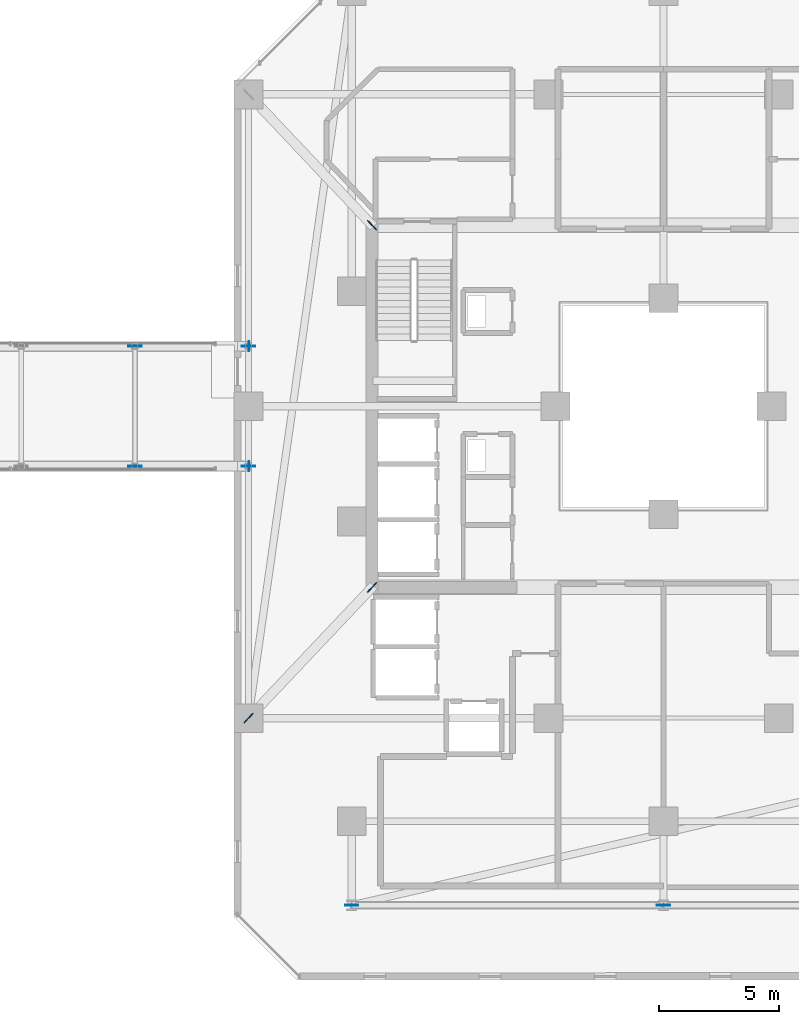
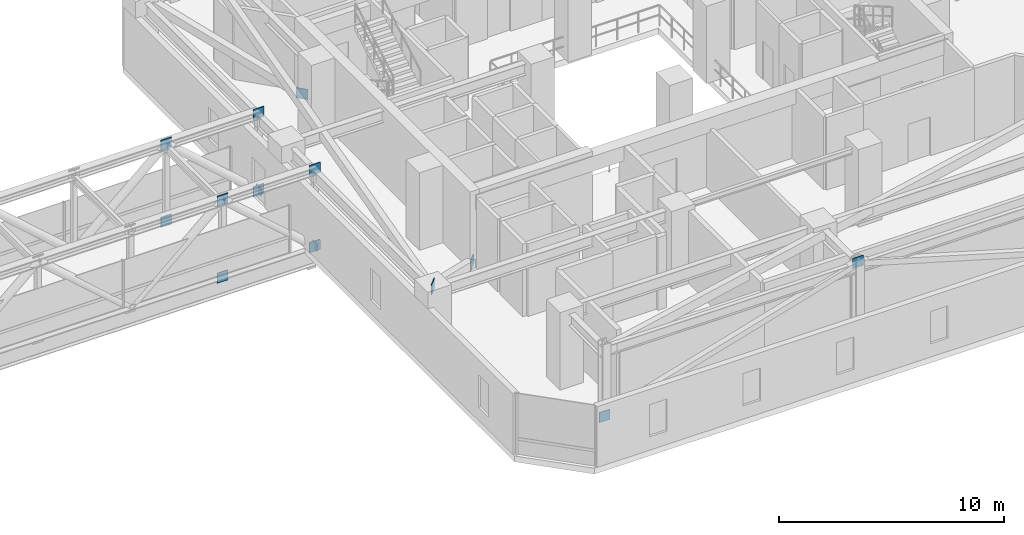
# One storey, part 32 of 45: 15 plates.
"""IFC4 building model written with IfcOpenShell, lengths in metres."""

import ifcopenshell
import ifcopenshell.guid

model = None  # the IFC model being written
_history = None  # IfcOwnerHistory: only IFC2X3 demands one
_inside = {}  # id of a spatial element -> (the spatial element, [elements in it])
_under = {}  # id of a project, library or spatial element -> (it, [spatial elements below it])
_declared = {}  # id of a project -> (the project, [libraries it declares])
_typed = {}  # id of a type object -> (the type object, [elements of that type])
_made_of = {}  # id of a material, layer set ... -> (it, [elements and type objects made of it])


def new_model(schema):
    """Start an empty IFC model of exactly this schema.

    Asked for "IFC4X3", IfcOpenShell would pick the latest addendum, in which some entities
    have other attributes; the version numbers below select the first issue.
    IFC2X3 requires an IfcOwnerHistory on every rooted entity: one is made here for all.
    """
    global model, _history
    if schema == "IFC4X3":
        model = ifcopenshell.file(schema_version=(4, 3, 0, 0))
    else:
        model = ifcopenshell.file(schema=schema)
    _inside.clear()
    _under.clear()
    _declared.clear()
    _typed.clear()
    _made_of.clear()
    _history = None
    if model.schema == "IFC2X3":
        org = make("IfcOrganization", Name="unknown")
        user = make(
            "IfcPersonAndOrganization",
            ThePerson=make("IfcPerson", FamilyName="unknown"),
            TheOrganization=org,
        )
        app = make(
            "IfcApplication",
            ApplicationDeveloper=org,
            Version="unknown",
            ApplicationFullName="unknown",
            ApplicationIdentifier="unknown",
        )
        _history = make(
            "IfcOwnerHistory",
            OwningUser=user,
            OwningApplication=app,
            ChangeAction="ADDED",
            CreationDate=0,
        )
    return model


def make(cls, **values):
    """One entity of the class cls with the attributes given. An attribute that is None is left unset."""
    return model.create_entity(
        cls, **{name: value for name, value in values.items() if value is not None}
    )


def rooted(cls, **values):
    """An entity with a GlobalId (a new one), such as an element, a storey or a relation."""
    return make(cls, GlobalId=ifcopenshell.guid.new(), OwnerHistory=_history, **values)


def si_unit(unit_type, name, prefix=None):
    """IfcSIUnit, for example si_unit("LENGTHUNIT", "METRE", prefix="MILLI")."""
    return make("IfcSIUnit", UnitType=unit_type, Prefix=prefix, Name=name)


def assignment(units):
    """IfcUnitAssignment: the units of a project."""
    return None if units is None else make("IfcUnitAssignment", Units=units)


def point(xyz):
    """IfcCartesianPoint."""
    return None if xyz is None else make("IfcCartesianPoint", Coordinates=xyz)


def direction(xyz):
    """IfcDirection."""
    return None if xyz is None else make("IfcDirection", DirectionRatios=xyz)


def frame(location, z_axis=None, x_axis=None):
    """IfcAxis2Placement3D, a coordinate frame: its origin and axes. An axis left out is left unset."""
    return make(
        "IfcAxis2Placement3D",
        Location=point(location),
        Axis=direction(z_axis),
        RefDirection=direction(x_axis),
    )


def frame_2d(location, x_axis=None):
    """IfcAxis2Placement2D, a coordinate frame in the plane: its origin and x axis."""
    return make(
        "IfcAxis2Placement2D", Location=point(location), RefDirection=direction(x_axis)
    )


def origin():
    """The frame at (0, 0, 0) with its axes left unset."""
    return frame((0.0, 0.0, 0.0))


def origin_2d():
    """The frame at (0, 0) in the plane with its x axis left unset."""
    return frame_2d((0.0, 0.0))


def place(relative_to, where):
    """IfcLocalPlacement: puts the frame where relative to a parent placement (None: the world)."""
    return make(
        "IfcLocalPlacement", PlacementRelTo=relative_to, RelativePlacement=where
    )


def context(
    kind, dimensions, precision=None, world=None, true_north=None, identifier=None
):
    """IfcGeometricRepresentationContext, for example the 3D "Model" context."""
    return make(
        "IfcGeometricRepresentationContext",
        ContextIdentifier=identifier,
        ContextType=kind,
        CoordinateSpaceDimension=dimensions,
        Precision=precision,
        WorldCoordinateSystem=world,
        TrueNorth=true_north,
    )


def subcontext(parent, identifier, kind, view, scale=None):
    """IfcGeometricRepresentationSubContext, for example "Body" below "Model"."""
    return make(
        "IfcGeometricRepresentationSubContext",
        ContextIdentifier=identifier,
        ContextType=kind,
        ParentContext=parent,
        TargetScale=scale,
        TargetView=view,
    )


def project(units=None, contexts=None):
    """IfcProject with its units and contexts."""
    return rooted(
        "IfcProject",
        Name="project",
        RepresentationContexts=contexts,
        UnitsInContext=assignment(units),
    )


def spatial(cls, under=None, at=None, **own):
    """A site, building, storey or space (cls), placed at a placement, below another one or the project."""
    s = rooted(cls, ObjectPlacement=at, **own)
    if under is not None:
        _under.setdefault(under.id(), (under, []))[1].append(s)
    return s


def profile(cls, at=None, kind="AREA", **sizes):
    """A parametric profile (cls). Its sizes go by their IFC names, for example OverallWidth=200.0."""
    return make(cls, ProfileType=kind, Position=at, **sizes)


def rectangle(**sizes):
    """IfcRectangleProfileDef."""
    return profile("IfcRectangleProfileDef", **sizes)


def extrude(swept, where, along, depth):
    """IfcExtrudedAreaSolid: the profile swept, set in the frame where, extruded along a direction by depth."""
    return make(
        "IfcExtrudedAreaSolid",
        SweptArea=swept,
        Position=where,
        ExtrudedDirection=direction(along),
        Depth=depth,
    )


def shape(context_of_items, identifier, shape_type, items):
    """IfcShapeRepresentation: the items that make up one representation, for example the "Body"."""
    return make(
        "IfcShapeRepresentation",
        ContextOfItems=context_of_items,
        RepresentationIdentifier=identifier,
        RepresentationType=shape_type,
        Items=items,
    )


def material(Name=None, Category=None):
    """IfcMaterial."""
    return make("IfcMaterial", Name=Name, Category=Category)


def layer(
    of_material, thickness, ventilated=None, Name=None, Category=None, Priority=None
):
    """IfcMaterialLayer: one layer of a wall or slab, of a material (None: an air gap)."""
    return make(
        "IfcMaterialLayer",
        Material=of_material,
        LayerThickness=thickness,
        IsVentilated=ventilated,
        Name=Name,
        Category=Category,
        Priority=Priority,
    )


def layer_set(layers, Name=None):
    """IfcMaterialLayerSet."""
    return make("IfcMaterialLayerSet", MaterialLayers=layers, LayerSetName=Name)


def made_of(thing, what):
    """Note that an element or type object is made of a material, layer set ...; save() writes the relation."""
    if what is not None:
        _made_of.setdefault(what.id(), (what, []))[1].append(thing)
    return thing


def type_object(cls, material=None, **own):
    """A type object (cls), such as IfcWallType, which elements share."""
    return made_of(rooted(cls, **own), material)


def element(
    cls,
    number,
    at=None,
    inside=None,
    cuts=None,
    type_object=None,
    material=None,
    context=None,
    identifier="Body",
    shape_type=None,
    held_by="IfcProductDefinitionShape",
    body=None,
    shapes=None,
    **own,
):
    """One element of the class cls, such as IfcWall. Its Tag is "e" and its number.

    at: its placement. inside: the storey or other place that contains it. cuts: it is an
    opening in that element (IfcRelVoidsElement). A single representation is given by context,
    identifier, shape_type and body (its items); several are given by shapes. held_by: the class
    of the entity that holds the representations. save() writes the other relations.
    """
    e = rooted(cls, Tag="e%d" % number, ObjectPlacement=at, **own)
    if body is not None:
        shapes = [shape(context, identifier, shape_type, body)]
    if shapes is not None:
        e.Representation = make(held_by, Representations=shapes)
    if inside is not None:
        _inside.setdefault(inside.id(), (inside, []))[1].append(e)
    if cuts is not None:
        rooted(
            "IfcRelVoidsElement", RelatingBuildingElement=cuts, RelatedOpeningElement=e
        )
    if type_object is not None:
        _typed.setdefault(type_object.id(), (type_object, []))[1].append(e)
    return made_of(e, material)


def aggregate(whole, parts):
    """IfcRelAggregates: a whole, such as a stair, and the parts it consists of."""
    return rooted("IfcRelAggregates", RelatingObject=whole, RelatedObjects=parts)


def save(model, path):
    """Write the relations noted so far, then the file.

    IfcRelAggregates (storeys below a building ...), IfcRelContainedInSpatialStructure (elements
    in a storey), IfcRelDefinesByType, IfcRelAssociatesMaterial and IfcRelDeclares: one each for
    every whole, place, type object, material and project.
    """
    for whole, parts in _under.values():
        aggregate(whole, parts)
    for where, things in _inside.values():
        rooted(
            "IfcRelContainedInSpatialStructure",
            RelatedElements=things,
            RelatingStructure=where,
        )
    for kind, things in _typed.values():
        rooted("IfcRelDefinesByType", RelatedObjects=things, RelatingType=kind)
    for what, things in _made_of.values():
        rooted("IfcRelAssociatesMaterial", RelatedObjects=things, RelatingMaterial=what)
    for by, libraries in _declared.values():
        rooted("IfcRelDeclares", RelatingContext=by, RelatedDefinitions=libraries)
    model.write(path)


model = new_model("IFC4")

# Units and contexts
model_context = context("Model", 3, precision=1e-05, world=origin(), true_north=direction((0.0, 1.0)))
body_context = subcontext(model_context, "Body", "Model", "MODEL_VIEW")
ifc_project = project(units=[si_unit("LENGTHUNIT", "METRE"), si_unit("AREAUNIT", "SQUARE_METRE"), si_unit("VOLUMEUNIT", "CUBIC_METRE"), si_unit("PLANEANGLEUNIT", "RADIAN"), si_unit("MASSUNIT", "GRAM", prefix="KILO")], contexts=[model_context])

# Site, building, storey
site_placement = place(None, origin())
site = spatial("IfcSite", under=ifc_project, at=site_placement, CompositionType="ELEMENT")
building_placement = place(site_placement, origin())
building = spatial("IfcBuilding", under=site, at=building_placement, Name="Thornwick Lancets Civic Towers", CompositionType="ELEMENT")
storey_placement = place(building_placement, frame((0.0, 0.0, 141.300048828125)))
storey = spatial("IfcBuildingStorey", under=building, at=storey_placement, Name="L37", CompositionType="ELEMENT", Elevation=141.300048828125)

# Plates
ifc_material_1 = material(Name="Steel S355JR", Category="steel")
ifc_layer_1 = layer(ifc_material_1, 0.02490234375, Name="Steel S355JR")
ifc_layer_set_1 = layer_set([ifc_layer_1], Name="Steel S355JR")
plate_type_1 = type_object("IfcPlateType", Name="PLT_ENDCAP_25", PredefinedType="USERDEFINED", material=ifc_layer_set_1)
for number, where, z_axis, x_axis, name in (
    (1, (71.219970703125, 24.5, -0.429931640625), (0.0, 0.0, 1.0), (1.0, 0.0, 0.0), "L37 Skybridge End Cap 1-E"),
    (2, (71.219970703125, 29.5, -0.429931640625), (0.0, 0.0, 1.0), (1.0, 0.0, 0.0), "L37 Skybridge End Cap 2-E"),
):
    element("IfcPlate", number, at=place(storey_placement, frame(where, z_axis=z_axis, x_axis=x_axis)), inside=storey, type_object=plate_type_1, Name=name, ObjectType="END_CAP_PLATE", PredefinedType="USERDEFINED", context=body_context, shape_type="SweptSolid", body=[
        extrude(rectangle(XDim=0.02490234375, YDim=0.419921875, at=origin_2d()), origin(), (0.0, 0.0, 1.0), 0.419921875),
    ])
ifc_material_2 = material(Name="Steel S460M", Category="steel")
ifc_layer_2 = layer(ifc_material_2, 0.0400390625, Name="Steel S460M")
ifc_layer_set_2 = layer_set([ifc_layer_2], Name="Steel S460M")
plate_type_2 = type_object("IfcPlateType", Name="PLT_GUSSET_40", PredefinedType="USERDEFINED", material=ifc_layer_set_2)
for number, where, z_axis, x_axis, name in (
    (3, (66.466796875, 24.5, -0.4951171875), (0.0, 0.0, 1.0), (1.0, 0.0, 0.0), "L37 Brace Connection Gusset Plate 0189"),
    (4, (66.466796875, 24.5, 3.68505859375), (0.0, 0.0, 1.0), (1.0, 0.0, 0.0), "L37 Brace Connection Gusset Plate 0190"),
    (5, (71.199951171875, 24.5, -0.4951171875), (0.0, 0.0, 1.0), (1.0, 0.0, 0.0), "L37 Brace Connection Gusset Plate 0191"),
    (6, (71.199951171875, 24.5, 3.68505859375), (0.0, 0.0, 1.0), (1.0, 0.0, 0.0), "L37 Brace Connection Gusset Plate 0192"),
    (7, (66.466796875, 29.5, -0.4951171875), (0.0, 0.0, 1.0), (1.0, 0.0, 0.0), "L37 Brace Connection Gusset Plate 0203"),
    (8, (66.466796875, 29.5, 3.68505859375), (0.0, 0.0, 1.0), (1.0, 0.0, 0.0), "L37 Brace Connection Gusset Plate 0204"),
    (9, (71.199951171875, 29.5, -0.4951171875), (0.0, 0.0, 1.0), (1.0, 0.0, 0.0), "L37 Brace Connection Gusset Plate 0205"),
    (10, (71.199951171875, 29.5, 3.68505859375), (0.0, 0.0, 1.0), (1.0, 0.0, 0.0), "L37 Brace Connection Gusset Plate 0206"),
    (11, (88.5, 6.199951171875, 3.68505859375), (0.0, 0.0, 1.0), (-1.0, 0.0, 0.0), "L37 Brace Connection Gusset Plate 0231"),
    (12, (75.5, 6.199951171875, -0.125), (0.0, 0.0, 1.0), (1.0, 0.0, 0.0), "L37 Brace Connection Gusset Plate 0232"),
    (13, (76.35009765625, 19.449951171875, -0.125), (0.0, 0.0, 1.0), (-0.686833846544, -0.726814465487, 0.0), "L37 Brace Connection Gusset Plate 0237"),
    (14, (71.199951171875, 14.0, 3.68505859375), (0.0, 0.0, 1.0), (-0.686833846544, -0.726814465487, 0.0), "L37 Brace Connection Gusset Plate 0238"),
    (15, (76.35009765625, 34.550048828125, -0.125), (0.0, 0.0, 1.0), (-0.686833846544, 0.726814465487, 0.0), "L37 Brace Connection Gusset Plate 0239"),
):
    element("IfcPlate", number, at=place(storey_placement, frame(where, z_axis=z_axis, x_axis=x_axis)), inside=storey, type_object=plate_type_2, Name=name, ObjectType="GUSSET_PLATE", PredefinedType="USERDEFINED", context=body_context, shape_type="SweptSolid", body=[
        extrude(rectangle(XDim=0.550048828125, YDim=0.0400390625, at=origin_2d()), origin(), (0.0, 0.0, 1.0), 0.550048828125),
    ])

save(model, "model.ifc")
